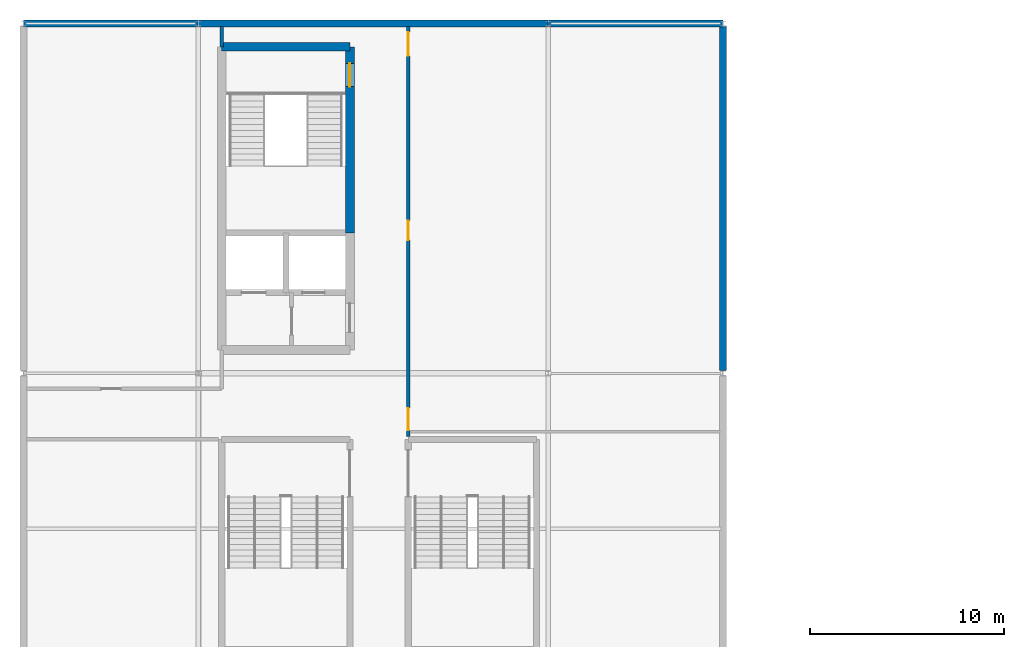
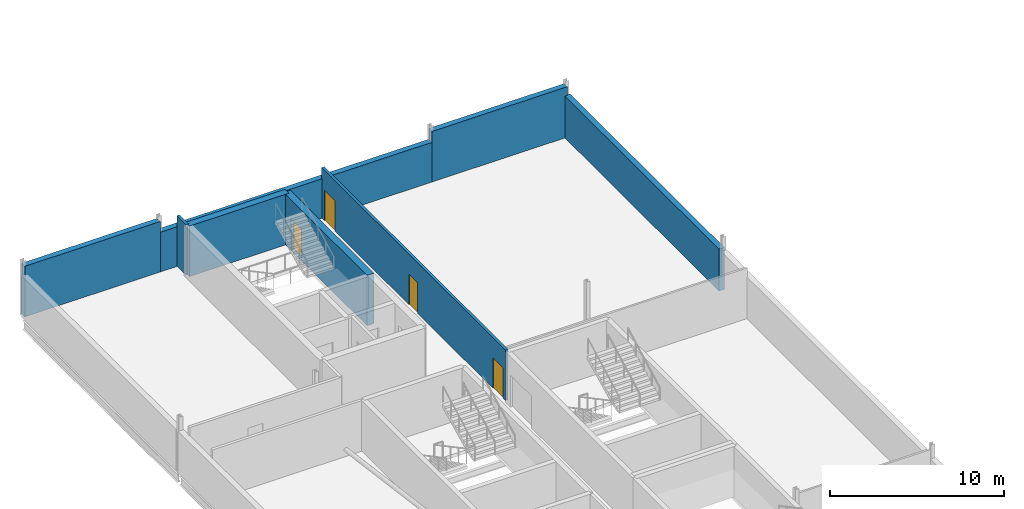
# One storey, part 16 of 30: 8 walls, 4 doors, 4 openings.
"""IFC4 building model written with IfcOpenShell, lengths in metres."""

from ifc_helpers import new_model, si_unit, direction, frame, frame_2d, origin, place, context, subcontext, project, spatial, rectangle, extrude, material, layer, layer_set, type_object, element, fill, save


model = new_model("IFC4")

# Units and contexts
model_context = context("Model", 3, precision=1e-05, world=origin(), true_north=direction((0.0, 1.0)))
body_context = subcontext(model_context, "Body", "Model", "MODEL_VIEW")
ifc_project = project(units=[si_unit("LENGTHUNIT", "METRE"), si_unit("AREAUNIT", "SQUARE_METRE"), si_unit("VOLUMEUNIT", "CUBIC_METRE"), si_unit("PLANEANGLEUNIT", "RADIAN"), si_unit("MASSUNIT", "GRAM", prefix="KILO")], contexts=[model_context])

# Site, building, storey
site_placement = place(None, origin())
site = spatial("IfcSite", under=ifc_project, at=site_placement, CompositionType="ELEMENT")
building_placement = place(site_placement, origin())
building = spatial("IfcBuilding", under=site, at=building_placement, Name="Kisiwana Market Hall", CompositionType="ELEMENT")
storey_placement = place(building_placement, frame((0.0, 0.0, 54.0)))
storey = spatial("IfcBuildingStorey", under=building, at=storey_placement, Name="L12", CompositionType="ELEMENT", Elevation=54.0)

# Wall
ifc_material_1 = material(Name="Concrete C40/50", Category="concrete")
ifc_layer_1 = layer(ifc_material_1, 0.449951171875, Name="Reinforced concrete core wall")
ifc_layer_set_1 = layer_set([ifc_layer_1], Name="WL-CORE-450")
wall_type_1 = type_object("IfcWallType", Name="WL-CORE-450", PredefinedType="SHEAR", material=ifc_layer_set_1)
wall_1_placement = place(storey_placement, frame((10.199951171875, 100.800048828125, 0.0), z_axis=(0.0, 0.0, 1.0), x_axis=(1.0, 0.0, 0.0)))
element("IfcWall", 1, at=wall_1_placement, inside=storey, type_object=wall_type_1, Name="Core W1 north shear wall W-2909", PredefinedType="SHEAR", context=body_context, shape_type="SweptSolid", body=[
    extrude(rectangle(XDim=6.60009765625, YDim=0.449951171875, at=frame_2d((3.300048828125, 0.0))), origin(), (0.0, 0.0, 1.0), 3.544921875),
])

# Wall, opening, door
wall_2_placement = place(storey_placement, frame((16.800048828125, 91.215087890625, 0.0), z_axis=(0.0, 0.0, 1.0), x_axis=(0.0, 1.0, 0.0)))
wall_2 = element("IfcWall", 2, at=wall_2_placement, inside=storey, type_object=wall_type_1, Name="Core W1 stair corridor shear wall W-2912", PredefinedType="SHEAR", context=body_context, shape_type="SweptSolid", body=[
    extrude(rectangle(XDim=9.5849609375, YDim=0.449951171875, at=frame_2d((4.79248046875, 0.0))), origin(), (0.0, 0.0, 1.0), 3.544921875),
])
opening_1_placement = place(wall_2_placement, frame((7.534912109375, 0.0, 0.0)))
opening_1 = element("IfcOpeningElement", 3, at=opening_1_placement, cuts=wall_2, Name="Opening DR-L12-005", PredefinedType="OPENING", context=body_context, shape_type="SweptSolid", body=[
    extrude(rectangle(XDim=1.199951171875, YDim=2.199951171875, at=frame_2d((0.60009765625, 1.10009765625))), frame((0.0, 0.23681640625, 0.0), z_axis=(0.0, -1.0, 0.0), x_axis=(1.0, 0.0, 0.0)), (0.0, 0.0, 1.0), 0.473876953125),
])
ifc_material_2 = material(Name="Steel S275", Category="steel")
door_type_1 = type_object("IfcDoorType", Name="DR-STAIR-FD120-1200", OperationType="NOTDEFINED", PredefinedType="DOOR", material=ifc_material_2)
door_1_placement = place(opening_1_placement, origin())
door_1 = element("IfcDoor", 4, at=door_1_placement, inside=storey, type_object=door_type_1, Name="Escape Stair W1 Fire Door (L12)", OperationType="SINGLE_SWING_RIGHT", OverallHeight=2.199951171875, OverallWidth=1.199951171875, PredefinedType="DOOR", context=body_context, shape_type="SweptSolid", body=[
    extrude(rectangle(XDim=1.199951171875, YDim=2.199951171875, at=frame_2d((0.60009765625, 1.10009765625))), frame((0.0, 0.02490234375, 0.0), z_axis=(0.0, -1.0, 0.0), x_axis=(1.0, 0.0, 0.0)), (0.0, 0.0, 1.0), 0.050048828125),
])
fill(opening_1, door_1)

# Wall, openings, doors
ifc_material_3 = material(Name="Masonry blockwork", Category="masonry")
ifc_layer_2 = layer(ifc_material_3, 0.169921875, Name="Protected corridor partition")
ifc_layer_set_2 = layer_set([ifc_layer_2], Name="WL-CORR-170")
wall_type_2 = type_object("IfcWallType", Name="WL-CORR-170", PredefinedType="PARTITIONING", material=ifc_layer_set_2)
wall_3_placement = place(storey_placement, frame((19.800048828125, 80.760009765625, 0.0), z_axis=(0.0, 0.0, 1.0), x_axis=(0.0, 1.0, 0.0)))
wall_3 = element("IfcWall", 5, at=wall_3_placement, inside=storey, type_object=wall_type_2, Name="Interior partition W-3031", PredefinedType="PARTITIONING", context=body_context, shape_type="SweptSolid", body=[
    extrude(rectangle(XDim=21.094970703125, YDim=0.169921875, at=frame_2d((10.54736328125, 0.0))), origin(), (0.0, 0.0, 1.0), 3.544921875),
])
opening_2_placement = place(wall_3_placement, frame((10.10009765625, 0.0, 0.0)))
opening_2 = element("IfcOpeningElement", 6, at=opening_2_placement, cuts=wall_3, Name="Opening DR-L12-036", PredefinedType="OPENING", context=body_context, shape_type="SweptSolid", body=[
    extrude(rectangle(XDim=1.0, YDim=2.14990234375, at=frame_2d((0.5, 1.074951171875))), frame((0.0, 0.096923828125, 0.0), z_axis=(0.0, -1.0, 0.0), x_axis=(1.0, 0.0, 0.0)), (0.0, 0.0, 1.0), 0.19384765625),
])
opening_3_placement = place(wall_3_placement, frame((0.300048828125, 0.0, 0.0)))
opening_3 = element("IfcOpeningElement", 7, at=opening_3_placement, cuts=wall_3, Name="Opening DR-L12-037", PredefinedType="OPENING", context=body_context, shape_type="SweptSolid", body=[
    extrude(rectangle(XDim=1.14990234375, YDim=2.14990234375, at=frame_2d((0.574951171875, 1.074951171875))), frame((0.0, 0.096923828125, 0.0), z_axis=(0.0, -1.0, 0.0), x_axis=(1.0, 0.0, 0.0)), (0.0, 0.0, 1.0), 0.19384765625),
])
opening_4_placement = place(wall_3_placement, frame((19.574951171875, 0.0, 0.0)))
opening_4 = element("IfcOpeningElement", 8, at=opening_4_placement, cuts=wall_3, Name="Opening DR-L12-038", PredefinedType="OPENING", context=body_context, shape_type="SweptSolid", body=[
    extrude(rectangle(XDim=1.219970703125, YDim=2.14990234375, at=frame_2d((0.60986328125, 1.074951171875))), frame((0.0, 0.096923828125, 0.0), z_axis=(0.0, -1.0, 0.0), x_axis=(1.0, 0.0, 0.0)), (0.0, 0.0, 1.0), 0.19384765625),
])
ifc_material_4 = material(Name="Aluminium alloy 6063-T6", Category="aluminium")
door_type_2 = type_object("IfcDoorType", Name="DR-MEET-1150", OperationType="NOTDEFINED", PredefinedType="DOOR", material=ifc_material_4)
door_2_placement = place(opening_3_placement, frame((1.14990234375, 0.0, 0.0), z_axis=(0.0, 0.0, 1.0), x_axis=(-1.0, 0.0, 0.0)))
door_2 = element("IfcDoor", 9, at=door_2_placement, inside=storey, type_object=door_type_2, Name="L12 W Director Boardroom C2 Door", OperationType="SINGLE_SWING_RIGHT", OverallHeight=2.14990234375, OverallWidth=1.14990234375, PredefinedType="DOOR", context=body_context, shape_type="SweptSolid", body=[
    extrude(rectangle(XDim=1.14990234375, YDim=2.14990234375, at=frame_2d((0.574951171875, 1.074951171875))), frame((0.0, 0.02490234375, 0.0), z_axis=(0.0, -1.0, 0.0), x_axis=(1.0, 0.0, 0.0)), (0.0, 0.0, 1.0), 0.050048828125),
])
fill(opening_3, door_2)
ifc_material_5 = material(Name="Aluminium alloy 6063-T6", Category="aluminium")
door_type_3 = type_object("IfcDoorType", Name="DR-OFF-1000", OperationType="NOTDEFINED", PredefinedType="DOOR", material=ifc_material_5)
door_3_placement = place(opening_2_placement, frame((1.0, 0.0, 0.0), z_axis=(0.0, 0.0, 1.0), x_axis=(-1.0, 0.0, 0.0)))
door_3 = element("IfcDoor", 10, at=door_3_placement, inside=storey, type_object=door_type_3, Name="L12 W Executive Corner Suite C4 Door", OperationType="SINGLE_SWING_RIGHT", OverallHeight=2.14990234375, OverallWidth=1.0, PredefinedType="DOOR", context=body_context, shape_type="SweptSolid", body=[
    extrude(rectangle(XDim=1.0, YDim=2.14990234375, at=frame_2d((0.5, 1.074951171875))), frame((0.0, 0.02490234375, 0.0), z_axis=(0.0, -1.0, 0.0), x_axis=(1.0, 0.0, 0.0)), (0.0, 0.0, 1.0), 0.050048828125),
])
fill(opening_2, door_3)
ifc_material_6 = material(Name="Hardwood timber", Category="wood")
door_type_4 = type_object("IfcDoorType", Name="DR-STOR-FD60-1220", OperationType="NOTDEFINED", PredefinedType="DOOR", material=ifc_material_6)
door_4_placement = place(opening_4_placement, frame((1.219970703125, 0.0, 0.0), z_axis=(0.0, 0.0, 1.0), x_axis=(-1.0, 0.0, 0.0)))
door_4 = element("IfcDoor", 11, at=door_4_placement, inside=storey, type_object=door_type_4, Name="L12 W Legal Advisory Suite C3 Door", OperationType="SINGLE_SWING_LEFT", OverallHeight=2.14990234375, OverallWidth=1.219970703125, PredefinedType="DOOR", context=body_context, shape_type="SweptSolid", body=[
    extrude(rectangle(XDim=1.219970703125, YDim=2.14990234375, at=frame_2d((0.60986328125, 1.074951171875))), frame((0.0, 0.02490234375, 0.0), z_axis=(0.0, -1.0, 0.0), x_axis=(1.0, 0.0, 0.0)), (0.0, 0.0, 1.0), 0.050048828125),
])
fill(opening_4, door_4)

# Walls
ifc_material_7 = material(Name="Concrete C40/50 precast", Category="concrete")
ifc_layer_3 = layer(ifc_material_7, 0.364990234375)
ifc_layer_set_3 = layer_set([ifc_layer_3], Name="WL-EXT-365")
wall_type_3 = type_object("IfcWallType", Name="WL-EXT-365", PredefinedType="STANDARD", material=ifc_layer_set_3)
wall_4_placement = place(storey_placement, frame((0.010009765625, 102.0, 0.0), z_axis=(0.0, 0.0, 1.0), x_axis=(1.0, 0.0, 0.0)))
element("IfcWall", 12, at=wall_4_placement, inside=storey, type_object=wall_type_3, Name="Exterior wall W-2989", PredefinedType="STANDARD", context=body_context, shape_type="SweptSolid", body=[
    extrude(rectangle(XDim=8.97998046875, YDim=0.364990234375, at=frame_2d((4.489990234375, 0.0))), origin(), (0.0, 0.0, 1.0), 3.544921875),
])
wall_5_placement = place(storey_placement, frame((9.010009765625, 102.0, 0.0), z_axis=(0.0, 0.0, 1.0), x_axis=(1.0, 0.0, 0.0)))
element("IfcWall", 13, at=wall_5_placement, inside=storey, type_object=wall_type_3, Name="Exterior wall W-2990", PredefinedType="STANDARD", context=body_context, shape_type="SweptSolid", body=[
    extrude(rectangle(XDim=17.97998046875, YDim=0.364990234375, at=frame_2d((8.989990234375, 0.0))), origin(), (0.0, 0.0, 1.0), 2.78271484375),
])
wall_6_placement = place(storey_placement, frame((27.010009765625, 102.0, 0.0), z_axis=(0.0, 0.0, 1.0), x_axis=(1.0, 0.0, 0.0)))
element("IfcWall", 14, at=wall_6_placement, inside=storey, type_object=wall_type_3, Name="Exterior wall W-2991", PredefinedType="STANDARD", context=body_context, shape_type="SweptSolid", body=[
    extrude(rectangle(XDim=8.97998046875, YDim=0.364990234375, at=frame_2d((4.489990234375, 0.0))), origin(), (0.0, 0.0, 1.0), 3.544921875),
])
wall_7_placement = place(storey_placement, frame((36.0, 84.131591796875, 0.0), z_axis=(0.0, 0.0, 1.0), x_axis=(0.0, 1.0, 0.0)))
element("IfcWall", 15, at=wall_7_placement, inside=storey, type_object=wall_type_3, Name="Exterior wall W-3002", PredefinedType="STANDARD", context=body_context, shape_type="SweptSolid", body=[
    extrude(rectangle(XDim=17.73681640625, YDim=0.364990234375, at=frame_2d((8.868408203125, 0.0))), origin(), (0.0, 0.0, 1.0), 2.932861328125),
])
ifc_material_8 = material(Name="Concrete C32/40", Category="concrete")
ifc_layer_4 = layer(ifc_material_8, 0.18505859375)
ifc_layer_set_4 = layer_set([ifc_layer_4], Name="WL-PART-185")
wall_type_4 = type_object("IfcWallType", Name="WL-PART-185", PredefinedType="PARTITIONING", material=ifc_layer_set_4)
wall_8_placement = place(storey_placement, frame((10.199951171875, 100.800048828125, 0.0), z_axis=(0.0, 0.0, 1.0), x_axis=(0.0, 1.0, 0.0)))
element("IfcWall", 16, at=wall_8_placement, inside=storey, type_object=wall_type_4, Name="Interior partition W-3022", PredefinedType="PARTITIONING", context=body_context, shape_type="SweptSolid", body=[
    extrude(rectangle(XDim=1.054931640625, YDim=0.18505859375, at=frame_2d((0.52734375, 0.0))), origin(), (0.0, 0.0, 1.0), 3.544921875),
])

save(model, "model.ifc")
